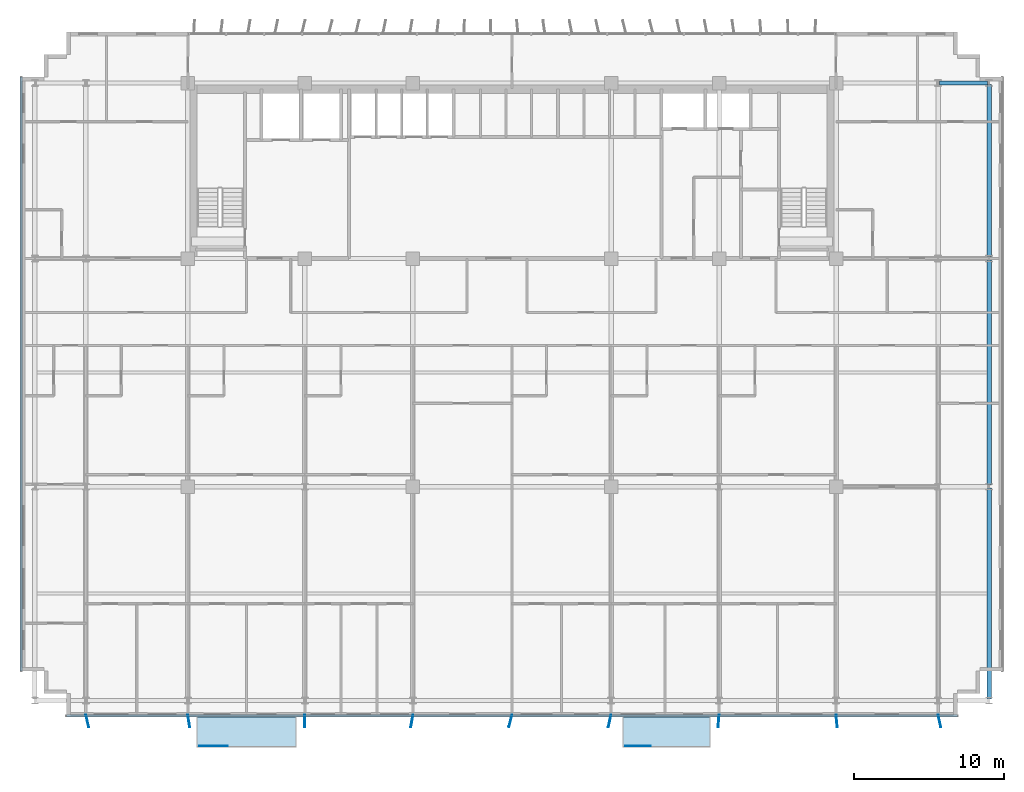
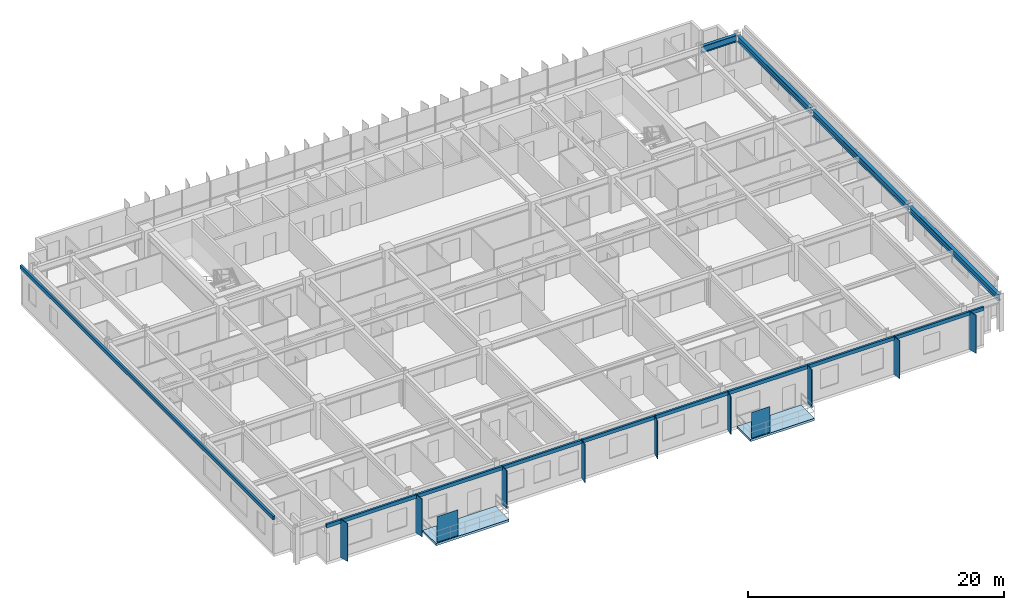
# One storey, part 13 of 24: 13 plates, 4 beams, 2 slabs.
"""IFC4 building model written with IfcOpenShell, lengths in metres."""

from ifc_helpers import new_model, si_unit, direction, frame, origin, origin_2d, place, context, subcontext, project, spatial, polyline, rectangle, i_section, outline, extrude, source, transform, mapped, material, layer, layer_set, material_profile, profile_set, type_object, element, save


model = new_model("IFC4")

# Units and contexts
model_context = context("Model", 3, precision=1e-05, world=origin(), true_north=direction((0.0, 1.0)))
body_context = subcontext(model_context, "Body", "Model", "MODEL_VIEW")
ifc_project = project(units=[si_unit("LENGTHUNIT", "METRE"), si_unit("AREAUNIT", "SQUARE_METRE"), si_unit("VOLUMEUNIT", "CUBIC_METRE"), si_unit("PLANEANGLEUNIT", "RADIAN"), si_unit("MASSUNIT", "GRAM", prefix="KILO")], contexts=[model_context])

# Site, building, storey
site_placement = place(None, origin())
site = spatial("IfcSite", under=ifc_project, at=site_placement, CompositionType="ELEMENT")
building_placement = place(site_placement, origin())
building = spatial("IfcBuilding", under=site, at=building_placement, Name="Trelvane Seafront Commons", CompositionType="ELEMENT")
storey_placement = place(building_placement, frame((0.0, 0.0, 27.10009765625)))
storey = spatial("IfcBuildingStorey", under=building, at=storey_placement, Name="L06", CompositionType="ELEMENT", Elevation=27.10009765625)

# Beams
ifc_material_1 = material(Name="Steel SM355 (S355)", Category="steel")
ifc_material_profile_1 = material_profile(ifc_material_1, i_section(OverallWidth=0.280029296875, OverallDepth=0.64990234375, WebThickness=0.012939453125, FlangeThickness=0.02197265625, at=origin_2d()), Name="H-650x280x13x22")
ifc_profile_set_1 = profile_set([ifc_material_profile_1], Name="Steel SM355 (S355)")
beam_type_1 = type_object("IfcBeamType", Name="STR-BM-H650", PredefinedType="BEAM", material=ifc_profile_set_1)
shared_shape_1 = source(origin(), body_context, "Body", "SweptSolid", [
    extrude(i_section(OverallWidth=0.280029296875, OverallDepth=0.64990234375, WebThickness=0.012939453125, FlangeThickness=0.02197265625, at=origin_2d()), origin(), (0.0, 0.0, 1.0), 3.18994140625),
])
beam_1_placement = place(storey_placement, frame((65.705078125, 45.10009765625, 3.014892578125), z_axis=(1.0, 0.0, 0.0), x_axis=(0.0, 1.0, 0.0)))
element("IfcBeam", 1, at=beam_1_placement, inside=storey, type_object=beam_type_1, Name="L06 Primary Girder G-36", PredefinedType="BEAM", context=body_context, shape_type="MappedRepresentation", body=[
    mapped(shared_shape_1, transform((0.0, 0.0, 0.0), x_axis=(1.0, 0.0, 0.0), y_axis=(0.0, 1.0, 0.0), z_axis=(0.0, 0.0, 1.0), scale=1.0)),
])
ifc_material_profile_2 = material_profile(ifc_material_1, i_section(OverallWidth=0.300048828125, OverallDepth=0.587890625, WebThickness=0.011962890625, FlangeThickness=0.02001953125, at=origin_2d()), Name="H-588x300x12x20")
ifc_profile_set_2 = profile_set([ifc_material_profile_2], Name="Steel SM355 (S355)")
beam_type_2 = type_object("IfcBeamType", Name="STR-BM-H588", PredefinedType="BEAM", material=ifc_profile_set_2)
shared_shape_2 = source(origin(), body_context, "Body", "SweptSolid", [
    extrude(i_section(OverallWidth=0.300048828125, OverallDepth=0.587890625, WebThickness=0.011962890625, FlangeThickness=0.02001953125, at=origin_2d()), origin(), (0.0, 0.0, 1.0), 14.0400390625),
])
beam_2_placement = place(storey_placement, frame((69.0, 4.054931640625, 3.0458984375), z_axis=(0.0, 1.0, 0.0), x_axis=(-1.0, 0.0, 0.0)))
element("IfcBeam", 2, at=beam_2_placement, inside=storey, type_object=beam_type_2, Name="L06 Primary Girder G-64", PredefinedType="BEAM", context=body_context, shape_type="MappedRepresentation", body=[
    mapped(shared_shape_2, transform((0.0, 0.0, 0.0), x_axis=(1.0, 0.0, 0.0), y_axis=(0.0, 1.0, 0.0), z_axis=(0.0, 0.0, 1.0), scale=1.0)),
])
shared_shape_3 = source(origin(), body_context, "Body", "SweptSolid", [
    extrude(i_section(OverallWidth=0.300048828125, OverallDepth=0.587890625, WebThickness=0.011962890625, FlangeThickness=0.02001953125, at=origin_2d()), origin(), (0.0, 0.0, 1.0), 14.989990234375),
])
beam_3_placement = place(storey_placement, frame((69.0, 18.304931640625, 3.0458984375), z_axis=(0.0, 1.0, 0.0), x_axis=(-1.0, 0.0, 0.0)))
element("IfcBeam", 3, at=beam_3_placement, inside=storey, type_object=beam_type_2, Name="L06 Primary Girder G-65", PredefinedType="BEAM", context=body_context, shape_type="MappedRepresentation", body=[
    mapped(shared_shape_3, transform((0.0, 0.0, 0.0), x_axis=(1.0, 0.0, 0.0), y_axis=(0.0, 1.0, 0.0), z_axis=(0.0, 0.0, 1.0), scale=1.0)),
])
shared_shape_4 = source(origin(), body_context, "Body", "SweptSolid", [
    extrude(i_section(OverallWidth=0.300048828125, OverallDepth=0.587890625, WebThickness=0.011962890625, FlangeThickness=0.02001953125, at=origin_2d()), origin(), (0.0, 0.0, 1.0), 11.490234375),
])
beam_4_placement = place(storey_placement, frame((69.0, 33.5048828125, 3.0458984375), z_axis=(0.0, 1.0, 0.0), x_axis=(-1.0, 0.0, 0.0)))
element("IfcBeam", 4, at=beam_4_placement, inside=storey, type_object=beam_type_2, Name="L06 Primary Girder G-66", PredefinedType="BEAM", context=body_context, shape_type="MappedRepresentation", body=[
    mapped(shared_shape_4, transform((0.0, 0.0, 0.0), x_axis=(1.0, 0.0, 0.0), y_axis=(0.0, 1.0, 0.0), z_axis=(0.0, 0.0, 1.0), scale=1.0)),
])

# Slabs
ifc_material_2 = material(Name="Concrete C40/50", Category="concrete")
ifc_layer_1 = layer(ifc_material_2, 0.219970703125, Name="ARCH-BALC-220")
ifc_layer_set_1 = layer_set([ifc_layer_1], Name="Concrete C40/50")
slab_type = type_object("IfcSlabType", Name="ARCH-BALC-220", PredefinedType="FLOOR", material=ifc_layer_set_1)
slab_1_placement = place(storey_placement, frame((0.0, 0.0, -0.22021484375)))
element("IfcSlab", 5, at=slab_1_placement, inside=storey, type_object=slab_type, Name="L06 Cantilevered Tree Balcony Loggia 1", PredefinedType="FLOOR", context=body_context, shape_type="SweptSolid", body=[
    extrude(outline(polyline([(16.199951171875, 0.800048828125), (22.800048828125, 0.800048828125), (22.800048828125, 2.89990234375), (16.199951171875, 2.89990234375), (16.199951171875, 0.800048828125)])), origin(), (0.0, 0.0, 1.0), 0.22021484375),
])
slab_2_placement = place(storey_placement, frame((0.0, 0.0, -0.22021484375)))
element("IfcSlab", 6, at=slab_2_placement, inside=storey, type_object=slab_type, Name="L06 Cantilevered Tree Balcony Loggia 2", PredefinedType="FLOOR", context=body_context, shape_type="SweptSolid", body=[
    extrude(outline(polyline([(44.60009765625, 0.800048828125), (50.39990234375, 0.800048828125), (50.39990234375, 2.89990234375), (44.60009765625, 2.89990234375), (44.60009765625, 0.800048828125)])), origin(), (0.0, 0.0, 1.0), 0.22021484375),
])

# Plates
ifc_material_3 = material(Name="Perforated anodised aluminium screen", Category="aluminium")
ifc_layer_2 = layer(ifc_material_3, 0.01611328125, Name="ARCH-PLATE-SCREEN")
ifc_layer_set_2 = layer_set([ifc_layer_2], Name="Perforated anodised aluminium screen")
plate_type_1 = type_object("IfcPlateType", Name="ARCH-PLATE-SCREEN", PredefinedType="USERDEFINED", material=ifc_layer_set_2)
shared_shape_5 = source(origin(), body_context, "Body", "SweptSolid", [
    extrude(rectangle(XDim=1.9140625, YDim=0.01611328125, at=origin_2d()), origin(), (0.0, 0.0, 1.0), 2.449951171875),
])
plate_1_placement = place(storey_placement, frame((17.306884765625, 0.919921875, 0.0), z_axis=(0.0, 0.0, 1.0), x_axis=(1.0, 0.0, 0.0)))
element("IfcPlate", 7, at=plate_1_placement, inside=storey, type_object=plate_type_1, Name="SCR-L06-00020", ObjectType="SCREEN", PredefinedType="USERDEFINED", context=body_context, shape_type="MappedRepresentation", body=[
    mapped(shared_shape_5, transform((0.0, 0.0, 0.0), x_axis=(1.0, 0.0, 0.0), y_axis=(0.0, 1.0, 0.0), z_axis=(0.0, 0.0, 1.0), scale=1.0)),
])
shared_shape_6 = source(origin(), body_context, "Body", "SweptSolid", [
    extrude(rectangle(XDim=1.681884765625, YDim=0.01611328125, at=origin_2d()), origin(), (0.0, 0.0, 1.0), 2.449951171875),
])
plate_2_placement = place(storey_placement, frame((45.591064453125, 0.919921875, 0.0), z_axis=(0.0, 0.0, 1.0), x_axis=(1.0, 0.0, 0.0)))
element("IfcPlate", 8, at=plate_2_placement, inside=storey, type_object=plate_type_1, Name="SCR-L06-00021", ObjectType="SCREEN", PredefinedType="USERDEFINED", context=body_context, shape_type="MappedRepresentation", body=[
    mapped(shared_shape_6, transform((0.0, 0.0, 0.0), x_axis=(1.0, 0.0, 0.0), y_axis=(0.0, 1.0, 0.0), z_axis=(0.0, 0.0, 1.0), scale=1.0)),
])
ifc_material_4 = material(Name="Anodised pale-silver aluminium", Category="aluminium")
ifc_layer_3 = layer(ifc_material_4, 0.06005859375, Name="ARCH-PLATE-FIN900")
ifc_layer_set_3 = layer_set([ifc_layer_3], Name="Anodised pale-silver aluminium")
plate_type_2 = type_object("IfcPlateType", Name="ARCH-PLATE-FIN900", PredefinedType="USERDEFINED", material=ifc_layer_set_3)
shared_shape_7 = source(origin(), body_context, "Body", "SweptSolid", [
    extrude(rectangle(XDim=0.85009765625, YDim=0.06005859375, at=origin_2d()), origin(), (0.0, 0.0, 1.0), 3.639892578125),
])
for number, where, z_axis, x_axis, name in (
    (9, (8.900390625, 2.587158203125, -0.02001953125), (0.0, 0.0, 1.0), (0.236246312254, -0.971693202583, 0.0), "FIN-S-L06-00058"),
    (10, (15.66259765625, 2.57958984375, -0.02001953125), (0.0, 0.0, 1.0), (0.147529767578, -0.989057615955, 0.0), "FIN-S-L06-00059"),
    (11, (23.39501953125, 2.5751953125, -0.02001953125), (0.0, 0.0, 1.0), (-0.012000595875, -0.999927990257, 0.0), "FIN-S-L06-00060"),
    (12, (30.529541015625, 2.580810546875, -0.02001953125), (0.0, 0.0, 1.0), (-0.165638014088, -0.986186619403, 0.0), "FIN-S-L06-00061"),
    (13, (37.097900390625, 2.58740234375, -0.02001953125), (0.0, 0.0, 1.0), (-0.240126387968, -0.970741632877, 0.0), "FIN-S-L06-00062"),
    (14, (43.713623046875, 2.583740234375, -0.02001953125), (0.0, 0.0, 1.0), (-0.203170110682, -0.979143455335, 0.0), "FIN-S-L06-00063"),
    (15, (50.97021484375, 2.575927734375, -0.02001953125), (0.0, 0.0, 1.0), (-0.070351909861, -0.997522234729, 0.0), "FIN-S-L06-00064"),
    (16, (58.841064453125, 2.576904296875, -0.02001953125), (0.0, 0.0, 1.0), (0.096707414374, -0.995312853331, 0.0), "FIN-S-L06-00065"),
    (17, (65.692138671875, 2.585205078125, -0.02001953125), (0.0, 0.0, 1.0), (0.216817876353, -0.976212071475, 0.0), "FIN-S-L06-00066"),
):
    element("IfcPlate", number, at=place(storey_placement, frame(where, z_axis=z_axis, x_axis=x_axis)), inside=storey, type_object=plate_type_2, Name=name, ObjectType="FIN", PredefinedType="USERDEFINED", context=body_context, shape_type="MappedRepresentation", body=[
        mapped(shared_shape_7, transform((0.0, 0.0, 0.0), x_axis=(1.0, 0.0, 0.0), y_axis=(0.0, 1.0, 0.0), z_axis=(0.0, 0.0, 1.0), scale=1.0)),
    ])
ifc_layer_4 = layer(ifc_material_4, 0.179931640625, Name="ARCH-PLATE-AERO")
ifc_layer_set_4 = layer_set([ifc_layer_4], Name="Anodised pale-silver aluminium")
plate_type_3 = type_object("IfcPlateType", Name="ARCH-PLATE-AERO", PredefinedType="SHEET", material=ifc_layer_set_4)
shared_shape_8 = source(origin(), body_context, "Body", "SweptSolid", [
    extrude(rectangle(XDim=39.60009765625, YDim=0.179931640625, at=origin_2d()), origin(), (0.0, 0.0, 1.0), 0.340087890625),
])
plate_3_placement = place(storey_placement, frame((4.5, 25.699951171875, 3.27978515625), z_axis=(0.0, 0.0, 1.0), x_axis=(0.0, 1.0, 0.0)))
element("IfcPlate", 18, at=plate_3_placement, inside=storey, type_object=plate_type_3, Name="AER-L06-00018", PredefinedType="SHEET", context=body_context, shape_type="MappedRepresentation", body=[
    mapped(shared_shape_8, transform((0.0, 0.0, 0.0), x_axis=(1.0, 0.0, 0.0), y_axis=(0.0, 1.0, 0.0), z_axis=(0.0, 0.0, 1.0), scale=1.0)),
])
shared_shape_9 = source(origin(), body_context, "Body", "SweptSolid", [
    extrude(rectangle(XDim=59.39990234375, YDim=0.179931640625, at=origin_2d()), origin(), (0.0, 0.0, 1.0), 0.340087890625),
])
plate_4_placement = place(storey_placement, frame((37.199951171875, 2.93994140625, 3.27978515625), z_axis=(0.0, 0.0, 1.0), x_axis=(-1.0, 0.0, 0.0)))
element("IfcPlate", 19, at=plate_4_placement, inside=storey, type_object=plate_type_3, Name="AER-S-L06-00022", PredefinedType="SHEET", context=body_context, shape_type="MappedRepresentation", body=[
    mapped(shared_shape_9, transform((0.0, 0.0, 0.0), x_axis=(1.0, 0.0, 0.0), y_axis=(0.0, 1.0, 0.0), z_axis=(0.0, 0.0, 1.0), scale=1.0)),
])

save(model, "model.ifc")
